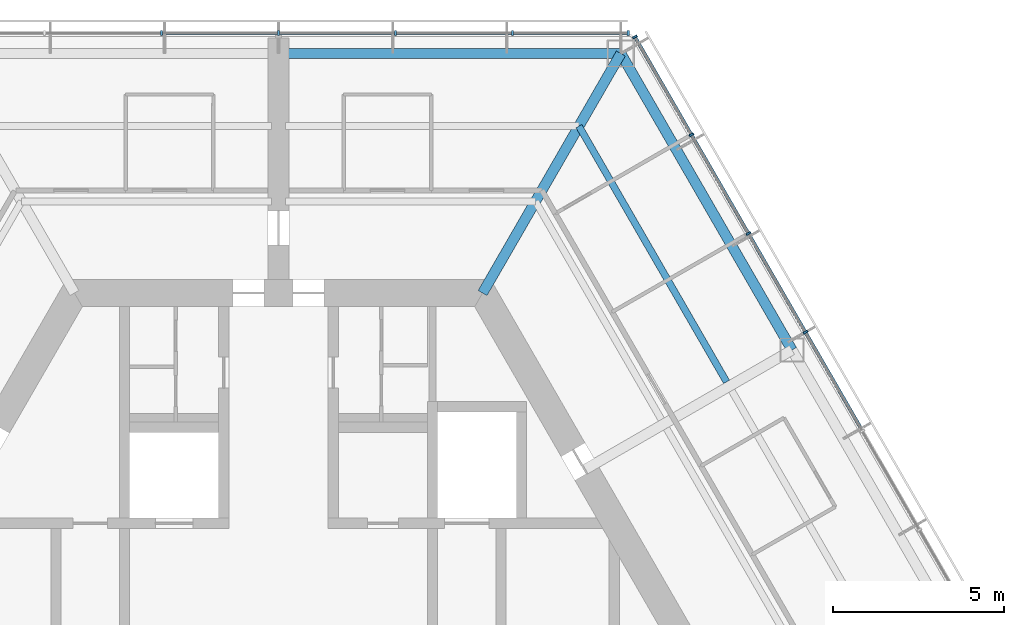
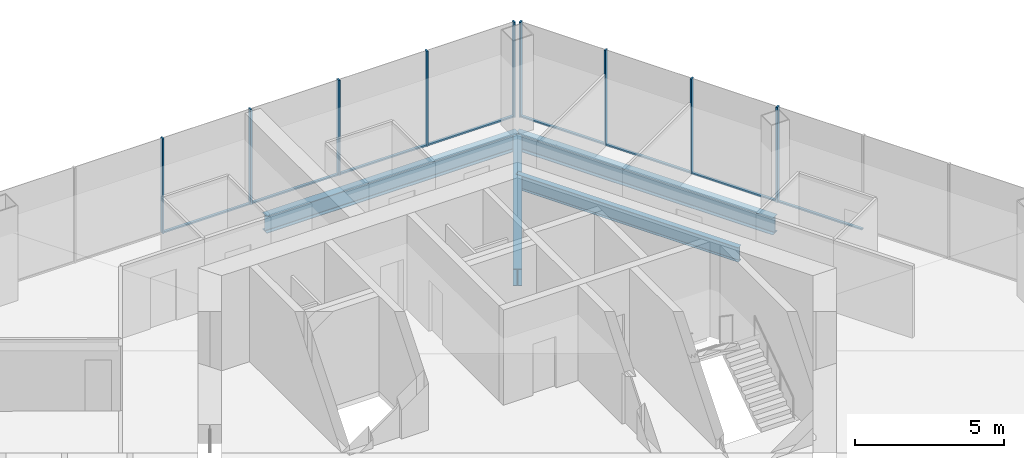
# One storey, part 7 of 15: 17 members, 4 beams, 2 elements without a shape of their own.
"""IFC4 building model written with IfcOpenShell, lengths in metres."""

from ifc_helpers import new_model, si_unit, direction, frame, origin, origin_2d, place, context, subcontext, project, spatial, rectangle, i_section, extrude, material, material_profile, profile_set, type_object, element, aggregate, save


model = new_model("IFC4")

# Units and contexts
model_context = context("Model", 3, precision=1e-05, world=origin(), true_north=direction((0.0, 1.0)))
body_context = subcontext(model_context, "Body", "Model", "MODEL_VIEW")
ifc_project = project(units=[si_unit("LENGTHUNIT", "METRE"), si_unit("AREAUNIT", "SQUARE_METRE"), si_unit("VOLUMEUNIT", "CUBIC_METRE"), si_unit("PLANEANGLEUNIT", "RADIAN"), si_unit("MASSUNIT", "GRAM", prefix="KILO")], contexts=[model_context])

# Site, building, storey
site_placement = place(None, origin())
site = spatial("IfcSite", under=ifc_project, at=site_placement, CompositionType="ELEMENT")
building_placement = place(site_placement, origin())
building = spatial("IfcBuilding", under=site, at=building_placement, Name="Kasaneha Research Tower", CompositionType="ELEMENT")
storey_placement = place(building_placement, frame((0.0, 0.0, 236.199951171875)))
storey = spatial("IfcBuildingStorey", under=building, at=storey_placement, Name="L59", CompositionType="ELEMENT", Elevation=236.199951171875)

# Beam
ifc_material_1 = material(Name="Steel SN490B", Category="steel")
ifc_material_profile_1 = material_profile(ifc_material_1, i_section(OverallWidth=0.199951171875, OverallDepth=0.60009765625, WebThickness=0.010986328125, FlangeThickness=0.01708984375, FilletRadius=0.012939453125, at=origin_2d()), Name="H-600x200x11x17")
ifc_profile_set_1 = profile_set([ifc_material_profile_1], Name="Steel SN490B")
beam_type_1 = type_object("IfcBeamType", Name="B1-3 secondary beam H-600x200x11x17", PredefinedType="JOIST", material=ifc_profile_set_1)
beam_1_placement = place(storey_placement, frame((8.775634765625, 15.199951171875, -0.449951171875), z_axis=(0.500017275495, -0.866015429543, 0.0), x_axis=(0.866015429543, 0.500017275495, 0.0)))
element("IfcBeam", 1, at=beam_1_placement, inside=storey, type_object=beam_type_1, Name="Secondary beam RS030R2 L59", PredefinedType="JOIST", context=body_context, shape_type="SweptSolid", body=[
    extrude(i_section(OverallWidth=0.199951171875, OverallDepth=0.60009765625, WebThickness=0.010986328125, FlangeThickness=0.01708984375, FilletRadius=0.012939453125, at=origin_2d()), origin(), (0.0, 0.0, 1.0), 8.625732421875),
])

# Curtain wall, members
ifc_material_2 = material(Name="Glass and aluminium", Category="aluminium")
curtain_wall_type = type_object("IfcCurtainWallType", Name="High-rise office curtain wall", PredefinedType="USERDEFINED", material=ifc_material_2)
curtain_wall_1_placement = place(storey_placement, origin())
curtain_wall_1 = element("IfcCurtainWall", 2, at=curtain_wall_1_placement, inside=storey, type_object=curtain_wall_type, Name="CW-O3 L59 run 01a", ObjectType="UNITISED CURTAIN WALL", PredefinedType="USERDEFINED")
ifc_material_3 = material(Name="Aluminium 6063-T6", Category="aluminium")
ifc_material_profile_2 = material_profile(ifc_material_3, rectangle(XDim=0.06005859375, YDim=0.139892578125, at=origin_2d()), Name="CW-O3 mullion 60x140")
ifc_profile_set_2 = profile_set([ifc_material_profile_2], Name="Aluminium 6063-T6")
member_type_1 = type_object("IfcMemberType", Name="CW-O3 mullion", PredefinedType="MULLION", material=ifc_profile_set_2)
member_1_placement = place(storey_placement, frame((15.392822265625, 9.179931640625, 0.0), z_axis=(0.0, 0.0, 1.0), x_axis=(-0.499999979232, 0.866025415775, 0.0)))
member_1 = element("IfcMember", 3, at=member_1_placement, type_object=member_type_1, Name="CW-O3 mullion 4", PredefinedType="MULLION", context=body_context, shape_type="SweptSolid", body=[
    extrude(rectangle(XDim=0.06005859375, YDim=0.139892578125, at=origin_2d()), origin(), (0.0, 0.0, 1.0), 3.900146484375),
])
member_2_placement = place(storey_placement, frame((13.727294921875, 12.064453125, 0.0), z_axis=(0.0, 0.0, 1.0), x_axis=(-0.499999979232, 0.866025415775, 0.0)))
member_2 = element("IfcMember", 4, at=member_2_placement, type_object=member_type_1, Name="CW-O3 mullion 5", PredefinedType="MULLION", context=body_context, shape_type="SweptSolid", body=[
    extrude(rectangle(XDim=0.06005859375, YDim=0.139892578125, at=origin_2d()), origin(), (0.0, 0.0, 1.0), 3.900146484375),
])
member_3_placement = place(storey_placement, frame((12.061767578125, 14.94921875, 0.0), z_axis=(0.0, 0.0, 1.0), x_axis=(-0.499999979232, 0.866025415775, 0.0)))
member_3 = element("IfcMember", 5, at=member_3_placement, type_object=member_type_1, Name="CW-O3 mullion 6", PredefinedType="MULLION", context=body_context, shape_type="SweptSolid", body=[
    extrude(rectangle(XDim=0.06005859375, YDim=0.139892578125, at=origin_2d()), origin(), (0.0, 0.0, 1.0), 3.900146484375),
])
member_4_placement = place(storey_placement, frame((10.411376953125, 17.807861328125, 0.0), z_axis=(0.0, 0.0, 1.0), x_axis=(-0.499999979232, 0.866025415775, 0.0)))
member_4 = element("IfcMember", 6, at=member_4_placement, type_object=member_type_1, Name="CW-O3 mullion 7", PredefinedType="MULLION", context=body_context, shape_type="SweptSolid", body=[
    extrude(rectangle(XDim=0.06005859375, YDim=0.139892578125, at=origin_2d()), origin(), (0.0, 0.0, 1.0), 3.900146484375),
])

curtain_wall_2_placement = place(storey_placement, origin())
curtain_wall_2 = element("IfcCurtainWall", 7, at=curtain_wall_2_placement, inside=storey, type_object=curtain_wall_type, Name="CW-O3 L59 run 02a", ObjectType="UNITISED CURTAIN WALL", PredefinedType="USERDEFINED")
member_5_placement = place(storey_placement, frame((10.21630859375, 17.92041015625, 0.0), z_axis=(0.0, 0.0, 1.0), x_axis=(-1.0, 0.0, 0.0)))
member_5 = element("IfcMember", 8, at=member_5_placement, type_object=member_type_1, Name="CW-O3 mullion 1", PredefinedType="MULLION", context=body_context, shape_type="SweptSolid", body=[
    extrude(rectangle(XDim=0.06005859375, YDim=0.139892578125, at=origin_2d()), origin(), (0.0, 0.0, 1.0), 3.900146484375),
])
member_6_placement = place(storey_placement, frame((6.8310546875, 17.92041015625, 0.0), z_axis=(0.0, 0.0, 1.0), x_axis=(-1.0, 0.0, 0.0)))
member_6 = element("IfcMember", 9, at=member_6_placement, type_object=member_type_1, Name="CW-O3 mullion 2", PredefinedType="MULLION", context=body_context, shape_type="SweptSolid", body=[
    extrude(rectangle(XDim=0.06005859375, YDim=0.139892578125, at=origin_2d()), origin(), (0.0, 0.0, 1.0), 3.900146484375),
])
member_7_placement = place(storey_placement, frame((3.41552734375, 17.92041015625, 0.0), z_axis=(0.0, 0.0, 1.0), x_axis=(-1.0, 0.0, 0.0)))
member_7 = element("IfcMember", 10, at=member_7_placement, type_object=member_type_1, Name="CW-O3 mullion 3", PredefinedType="MULLION", context=body_context, shape_type="SweptSolid", body=[
    extrude(rectangle(XDim=0.06005859375, YDim=0.139892578125, at=origin_2d()), origin(), (0.0, 0.0, 1.0), 3.900146484375),
])
member_8_placement = place(storey_placement, frame((0.0, 17.92041015625, 0.0), z_axis=(0.0, 0.0, 1.0), x_axis=(-1.0, 0.0, 0.0)))
member_8 = element("IfcMember", 11, at=member_8_placement, type_object=member_type_1, Name="CW-O3 mullion 4", PredefinedType="MULLION", context=body_context, shape_type="SweptSolid", body=[
    extrude(rectangle(XDim=0.06005859375, YDim=0.139892578125, at=origin_2d()), origin(), (0.0, 0.0, 1.0), 3.900146484375),
])
member_9_placement = place(storey_placement, frame((-3.41552734375, 17.92041015625, 0.0), z_axis=(0.0, 0.0, 1.0), x_axis=(-1.0, 0.0, 0.0)))
member_9 = element("IfcMember", 12, at=member_9_placement, type_object=member_type_1, Name="CW-O3 mullion 5", PredefinedType="MULLION", context=body_context, shape_type="SweptSolid", body=[
    extrude(rectangle(XDim=0.06005859375, YDim=0.139892578125, at=origin_2d()), origin(), (0.0, 0.0, 1.0), 3.900146484375),
])

# Member
ifc_material_4 = material(Name="Aluminium 6063-T6", Category="aluminium")
ifc_material_profile_3 = material_profile(ifc_material_4, rectangle(XDim=0.10009765625, YDim=0.06005859375, at=origin_2d()), Name="CW-O3 transom 100x60")
ifc_profile_set_3 = profile_set([ifc_material_profile_3], Name="Aluminium 6063-T6")
member_type_2 = type_object("IfcMemberType", Name="CW-O3 transom", PredefinedType="USERDEFINED", material=ifc_profile_set_3)
member_10_placement = place(storey_placement, frame((17.043212890625, 6.3212890625, 0.030029296875), z_axis=(-0.50003259116, 0.866006586452, 0.0), x_axis=(-0.866006586452, -0.50003259116, 0.0)))
member_10 = element("IfcMember", 13, at=member_10_placement, type_object=member_type_2, Name="CW-O3 transom 3", ObjectType="TRANSOM", PredefinedType="USERDEFINED", context=body_context, shape_type="SweptSolid", body=[
    extrude(rectangle(XDim=0.10009765625, YDim=0.06005859375, at=origin_2d()), origin(), (0.0, 0.0, 1.0), 3.270751953125),
])

member_11_placement = place(storey_placement, frame((15.3779296875, 9.205810546875, 0.030029296875), z_axis=(-0.500000270186, 0.866025247793, 0.0), x_axis=(-0.866025247793, -0.500000270186, 0.0)))
member_11 = element("IfcMember", 14, at=member_11_placement, type_object=member_type_2, Name="CW-O3 transom 4", ObjectType="TRANSOM", PredefinedType="USERDEFINED", context=body_context, shape_type="SweptSolid", body=[
    extrude(rectangle(XDim=0.10009765625, YDim=0.06005859375, at=origin_2d()), origin(), (0.0, 0.0, 1.0), 3.27099609375),
])

member_12_placement = place(storey_placement, frame((13.71240234375, 12.090576171875, 0.030029296875), z_axis=(-0.500000270186, 0.866025247793, 0.0), x_axis=(-0.866025247793, -0.500000270186, 0.0)))
member_12 = element("IfcMember", 15, at=member_12_placement, type_object=member_type_2, Name="CW-O3 transom 5", ObjectType="TRANSOM", PredefinedType="USERDEFINED", context=body_context, shape_type="SweptSolid", body=[
    extrude(rectangle(XDim=0.10009765625, YDim=0.06005859375, at=origin_2d()), origin(), (0.0, 0.0, 1.0), 3.27099609375),
])

member_13_placement = place(storey_placement, frame((12.046875, 14.97509765625, 0.030029296875), z_axis=(-0.499955025697, 0.866051368154, 0.0), x_axis=(-0.866051368154, -0.499955025697, 0.0)))
member_13 = element("IfcMember", 16, at=member_13_placement, type_object=member_type_2, Name="CW-O3 transom 6", ObjectType="TRANSOM", PredefinedType="USERDEFINED", context=body_context, shape_type="SweptSolid", body=[
    extrude(rectangle(XDim=0.10009765625, YDim=0.06005859375, at=origin_2d()), origin(), (0.0, 0.0, 1.0), 3.240966796875),
])

aggregate(curtain_wall_1, [member_1, member_2, member_3, member_4, member_10, member_11, member_12, member_13])

member_14_placement = place(storey_placement, frame((10.1865234375, 17.92041015625, 0.030029296875), z_axis=(-1.0, 0.0, 0.0), x_axis=(0.0, -1.0, 0.0)))
member_14 = element("IfcMember", 17, at=member_14_placement, type_object=member_type_2, Name="CW-O3 transom 1", ObjectType="TRANSOM", PredefinedType="USERDEFINED", context=body_context, shape_type="SweptSolid", body=[
    extrude(rectangle(XDim=0.10009765625, YDim=0.06005859375, at=origin_2d()), origin(), (0.0, 0.0, 1.0), 3.32568359375),
])

member_15_placement = place(storey_placement, frame((6.801025390625, 17.92041015625, 0.030029296875), z_axis=(-1.0, 0.0, 0.0), x_axis=(0.0, -1.0, 0.0)))
member_15 = element("IfcMember", 18, at=member_15_placement, type_object=member_type_2, Name="CW-O3 transom 2", ObjectType="TRANSOM", PredefinedType="USERDEFINED", context=body_context, shape_type="SweptSolid", body=[
    extrude(rectangle(XDim=0.10009765625, YDim=0.06005859375, at=origin_2d()), origin(), (0.0, 0.0, 1.0), 3.35546875),
])

member_16_placement = place(storey_placement, frame((3.385498046875, 17.92041015625, 0.030029296875), z_axis=(-1.0, 0.0, 0.0), x_axis=(0.0, -1.0, 0.0)))
member_16 = element("IfcMember", 19, at=member_16_placement, type_object=member_type_2, Name="CW-O3 transom 3", ObjectType="TRANSOM", PredefinedType="USERDEFINED", context=body_context, shape_type="SweptSolid", body=[
    extrude(rectangle(XDim=0.10009765625, YDim=0.06005859375, at=origin_2d()), origin(), (0.0, 0.0, 1.0), 3.35546875),
])

member_17_placement = place(storey_placement, frame((-0.030029296875, 17.92041015625, 0.030029296875), z_axis=(-1.0, 0.0, 0.0), x_axis=(0.0, -1.0, 0.0)))
member_17 = element("IfcMember", 20, at=member_17_placement, type_object=member_type_2, Name="CW-O3 transom 4", ObjectType="TRANSOM", PredefinedType="USERDEFINED", context=body_context, shape_type="SweptSolid", body=[
    extrude(rectangle(XDim=0.10009765625, YDim=0.06005859375, at=origin_2d()), origin(), (0.0, 0.0, 1.0), 3.35546875),
])

aggregate(curtain_wall_2, [member_5, member_6, member_7, member_8, member_9, member_14, member_15, member_16, member_17])

# Beams
ifc_material_5 = material(Name="Steel SN490B", Category="steel")
ifc_material_profile_4 = material_profile(ifc_material_5, i_section(OverallWidth=0.300048828125, OverallDepth=0.699951171875, WebThickness=0.012939453125, FlangeThickness=0.02392578125, FilletRadius=0.01806640625, at=origin_2d()), Name="H-700x300x13x24")
ifc_profile_set_4 = profile_set([ifc_material_profile_4], Name="Steel SN490B")
beam_type_2 = type_object("IfcBeamType", Name="G1-3 radial girder H-700x300x13x24", PredefinedType="BEAM", material=ifc_profile_set_4)
beam_2_placement = place(storey_placement, frame((5.961181640625, 10.324951171875, -0.5), z_axis=(0.49999105496, 0.866030568144, 0.0), x_axis=(-0.866030568144, 0.49999105496, 0.0)))
element("IfcBeam", 21, at=beam_2_placement, inside=storey, type_object=beam_type_2, Name="Radial girder RV060 L59", PredefinedType="BEAM", context=body_context, shape_type="SweptSolid", body=[
    extrude(i_section(OverallWidth=0.300048828125, OverallDepth=0.699951171875, WebThickness=0.012939453125, FlangeThickness=0.02392578125, FilletRadius=0.01806640625, at=origin_2d()), origin(), (0.0, 0.0, 1.0), 8.077880859375),
])
ifc_material_6 = material(Name="Steel SN490B", Category="steel")
ifc_material_profile_5 = material_profile(ifc_material_6, i_section(OverallWidth=0.300048828125, OverallDepth=0.69189453125, WebThickness=0.012939453125, FlangeThickness=0.02001953125, FilletRadius=0.01806640625, at=origin_2d()), Name="H-692x300x13x20")
ifc_profile_set_5 = profile_set([ifc_material_profile_5], Name="Steel SN490B")
beam_type_3 = type_object("IfcBeamType", Name="G3-3 plate edge girder H-692x300x13x20", PredefinedType="BEAM", material=ifc_profile_set_5)
beam_3_placement = place(storey_placement, frame((10.0, 17.320556640625, -0.495849609375), z_axis=(-1.0, 0.0, 0.0), x_axis=(0.0, -1.0, 0.0)))
element("IfcBeam", 22, at=beam_3_placement, inside=storey, type_object=beam_type_3, Name="Plate edge girder PEAP L59", PredefinedType="BEAM", context=body_context, shape_type="SweptSolid", body=[
    extrude(i_section(OverallWidth=0.300048828125, OverallDepth=0.69189453125, WebThickness=0.012939453125, FlangeThickness=0.02001953125, FilletRadius=0.01806640625, at=origin_2d()), origin(), (0.0, 0.0, 1.0), 9.800048828125),
])
ifc_material_7 = material(Name="Steel SN490B", Category="steel")
ifc_material_profile_6 = material_profile(ifc_material_7, i_section(OverallWidth=0.300048828125, OverallDepth=0.69189453125, WebThickness=0.012939453125, FlangeThickness=0.02001953125, FilletRadius=0.01806640625, at=origin_2d()), Name="H-692x300x13x20")
ifc_profile_set_6 = profile_set([ifc_material_profile_6], Name="Steel SN490B")
beam_type_4 = type_object("IfcBeamType", Name="SB1-3 spandrel beam H-692x300x13x20", PredefinedType="SPANDREL", material=ifc_profile_set_6)
beam_4_placement = place(storey_placement, frame((10.0, 17.320556640625, -0.495849609375), z_axis=(0.499993662806, -0.866029062534, 0.0), x_axis=(0.866029062534, 0.499993662806, 0.0)))
element("IfcBeam", 23, at=beam_4_placement, inside=storey, type_object=beam_type_4, Name="Spandrel beam SR030R L59", PredefinedType="SPANDREL", context=body_context, shape_type="SweptSolid", body=[
    extrude(i_section(OverallWidth=0.300048828125, OverallDepth=0.69189453125, WebThickness=0.012939453125, FlangeThickness=0.02001953125, FilletRadius=0.01806640625, at=origin_2d()), origin(), (0.0, 0.0, 1.0), 10.000244140625),
])

save(model, "model.ifc")
